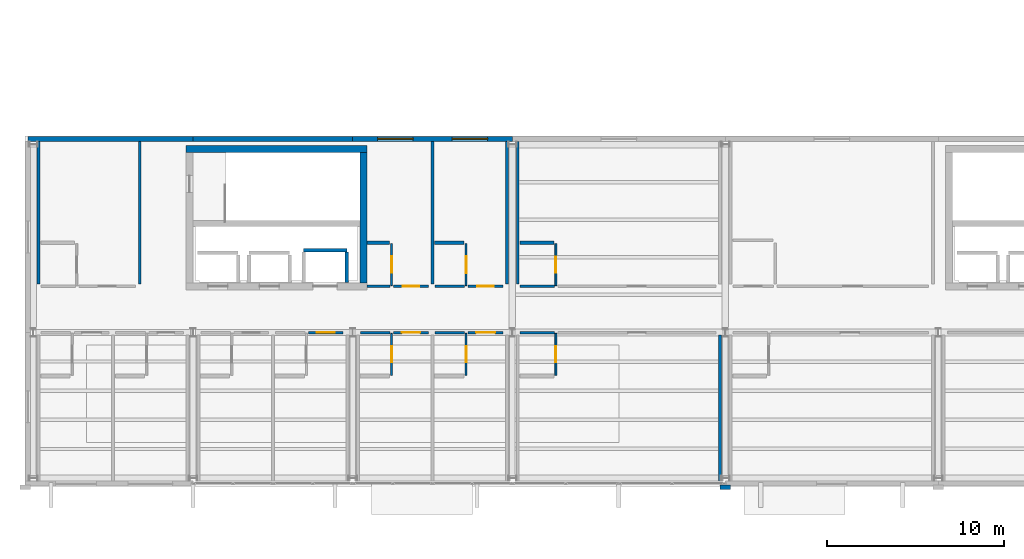
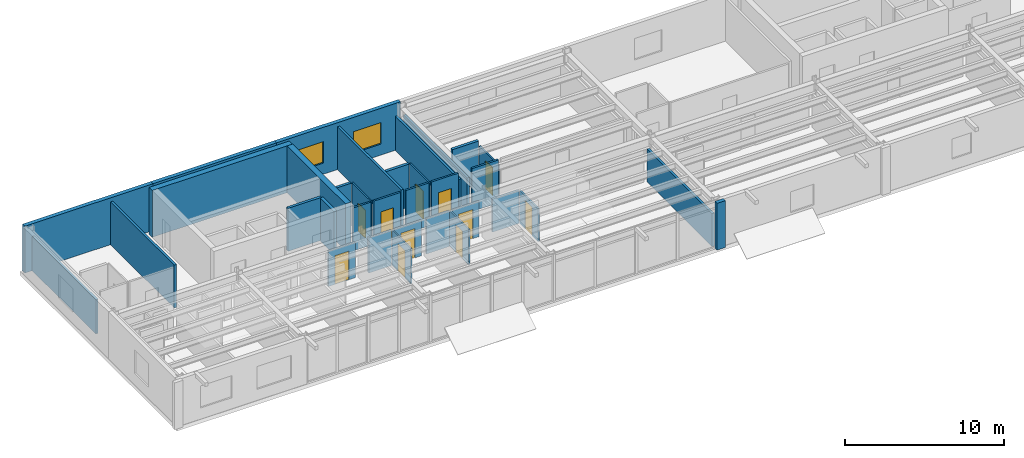
# One storey, part 13 of 19: 34 walls, 11 doors, 2 windows, 13 openings.
"""IFC4 building model written with IfcOpenShell, lengths in metres."""

from ifc_helpers import new_model, si_unit, direction, frame, frame_2d, origin, place, context, subcontext, project, spatial, rectangle, extrude, material, layer, layer_set, type_object, element, fill, save


model = new_model("IFC4")

# Units and contexts
model_context = context("Model", 3, precision=1e-05, world=origin(), true_north=direction((0.0, 1.0)))
body_context = subcontext(model_context, "Body", "Model", "MODEL_VIEW")
ifc_project = project(units=[si_unit("LENGTHUNIT", "METRE"), si_unit("AREAUNIT", "SQUARE_METRE"), si_unit("VOLUMEUNIT", "CUBIC_METRE"), si_unit("PLANEANGLEUNIT", "RADIAN"), si_unit("MASSUNIT", "GRAM", prefix="KILO")], contexts=[model_context])

# Site, building, storey
site_placement = place(None, origin())
site = spatial("IfcSite", under=ifc_project, at=site_placement, CompositionType="ELEMENT")
building_placement = place(site_placement, origin())
building = spatial("IfcBuilding", under=site, at=building_placement, Name="Sollismere Congress Hotel", CompositionType="ELEMENT")
storey_placement = place(building_placement, frame((0.0, 0.0, 44.60009765625)))
storey = spatial("IfcBuildingStorey", under=building, at=storey_placement, Name="L11", CompositionType="ELEMENT", Elevation=44.60009765625)

# Walls
ifc_material_1 = material(Name="Colorado Buff Sandstone Rainscreen on Insulated Backup", Category="masonry")
ifc_layer_1 = layer(ifc_material_1, 0.284912109375, Name="Colorado Buff Sandstone Rainscreen on Insulated Backup")
ifc_layer_set_1 = layer_set([ifc_layer_1], Name="Colorado Buff Sandstone Rainscreen on Insulated Backup")
wall_type_1 = type_object("IfcWallType", Name="WL-EXT285", PredefinedType="STANDARD", material=ifc_layer_set_1)
wall_1_placement = place(storey_placement, frame((94.0, 19.110107421875, 0.0), z_axis=(0.0, 0.0, 1.0), x_axis=(-1.0, 0.0, 0.0)))
element("IfcWall", 1, at=wall_1_placement, inside=storey, type_object=wall_type_1, Name="Exterior wall EW-L11-1019", PredefinedType="STANDARD", context=body_context, shape_type="SweptSolid", body=[
    extrude(rectangle(XDim=9.31005859375, YDim=0.284912109375, at=frame_2d((4.655029296875, 0.0))), origin(), (0.0, 0.0, 1.0), 3.599853515625),
])
wall_2_placement = place(storey_placement, frame((103.0, 19.110107421875, 0.0), z_axis=(0.0, 0.0, 1.0), x_axis=(-1.0, 0.0, 0.0)))
element("IfcWall", 2, at=wall_2_placement, inside=storey, type_object=wall_type_1, Name="Exterior wall EW-L11-1020", PredefinedType="STANDARD", context=body_context, shape_type="SweptSolid", body=[
    extrude(rectangle(XDim=9.0, YDim=0.284912109375, at=frame_2d((4.5, 0.0))), origin(), (0.0, 0.0, 1.0), 3.599853515625),
])

# Wall, openings, windows
wall_3_placement = place(storey_placement, frame((112.0, 19.110107421875, 0.0), z_axis=(0.0, 0.0, 1.0), x_axis=(-1.0, 0.0, 0.0)))
wall_3 = element("IfcWall", 3, at=wall_3_placement, inside=storey, type_object=wall_type_1, Name="Exterior wall EW-L11-1021", PredefinedType="STANDARD", context=body_context, shape_type="SweptSolid", body=[
    extrude(rectangle(XDim=9.0, YDim=0.284912109375, at=frame_2d((4.5, 0.0))), origin(), (0.0, 0.0, 1.0), 3.599853515625),
])
opening_1_placement = place(wall_3_placement, frame((5.60009765625, 0.0, 0.85009765625)))
opening_1 = element("IfcOpeningElement", 4, at=opening_1_placement, cuts=wall_3, Name="Opening W-L11-724", PredefinedType="OPENING", context=body_context, shape_type="SweptSolid", body=[
    extrude(rectangle(XDim=2.0, YDim=1.64990234375, at=frame_2d((1.0, 0.824951171875))), frame((0.0, 0.15234375, 0.0), z_axis=(0.0, -1.0, 0.0), x_axis=(1.0, 0.0, 0.0)), (0.0, 0.0, 1.0), 0.304931640625),
])
opening_2_placement = place(wall_3_placement, frame((1.39990234375, 0.0, 0.85009765625)))
opening_2 = element("IfcOpeningElement", 5, at=opening_2_placement, cuts=wall_3, Name="Opening W-L11-725", PredefinedType="OPENING", context=body_context, shape_type="SweptSolid", body=[
    extrude(rectangle(XDim=2.0, YDim=1.64990234375, at=frame_2d((1.0, 0.824951171875))), frame((0.0, 0.15234375, 0.0), z_axis=(0.0, -1.0, 0.0), x_axis=(1.0, 0.0, 0.0)), (0.0, 0.0, 1.0), 0.304931640625),
])
ifc_material_2 = material(Name="Thermally Broken Bronze Aluminum & Low-E Glass", Category="aluminium")
window_type = type_object("IfcWindowType", Name="WN-P200x165", PartitioningType="SINGLE_PANEL", PredefinedType="WINDOW", material=ifc_material_2)
window_1_placement = place(opening_1_placement, origin())
window_1 = element("IfcWindow", 6, at=window_1_placement, inside=storey, type_object=window_type, Name="WIN-W-L11-724", OverallHeight=1.64990234375, OverallWidth=2.0, PartitioningType="SINGLE_PANEL", PredefinedType="WINDOW", context=body_context, shape_type="SweptSolid", body=[
    extrude(rectangle(XDim=2.0, YDim=1.64990234375, at=frame_2d((1.0, 0.824951171875))), frame((0.0, 0.030029296875, 0.0), z_axis=(0.0, -1.0, 0.0), x_axis=(1.0, 0.0, 0.0)), (0.0, 0.0, 1.0), 0.06005859375),
])
fill(opening_1, window_1)
window_2_placement = place(opening_2_placement, origin())
window_2 = element("IfcWindow", 7, at=window_2_placement, inside=storey, type_object=window_type, Name="WIN-W-L11-725", OverallHeight=1.64990234375, OverallWidth=2.0, PartitioningType="SINGLE_PANEL", PredefinedType="WINDOW", context=body_context, shape_type="SweptSolid", body=[
    extrude(rectangle(XDim=2.0, YDim=1.64990234375, at=frame_2d((1.0, 0.824951171875))), frame((0.0, 0.030029296875, 0.0), z_axis=(0.0, -1.0, 0.0), x_axis=(1.0, 0.0, 0.0)), (0.0, 0.0, 1.0), 0.06005859375),
])
fill(opening_2, window_2)

# Walls
ifc_material_3 = material(Name="Carved Travertine Pilaster & Frieze Assembly", Category="masonry")
ifc_layer_2 = layer(ifc_material_3, 0.260009765625, Name="Carved Travertine Pilaster & Frieze Assembly")
ifc_layer_set_2 = layer_set([ifc_layer_2], Name="Carved Travertine Pilaster & Frieze Assembly")
wall_type_2 = type_object("IfcWallType", Name="WL-PIL280", PredefinedType="ELEMENTEDWALL", material=ifc_layer_set_2)
wall_4_placement = place(storey_placement, frame((123.699951171875, -0.52001953125, 0.0), z_axis=(0.0, 0.0, 1.0), x_axis=(1.0, 0.0, 0.0)))
element("IfcWall", 8, at=wall_4_placement, inside=storey, type_object=wall_type_2, Name="Exterior wall EW-L11-1000", PredefinedType="ELEMENTEDWALL", context=body_context, shape_type="SweptSolid", body=[
    extrude(rectangle(XDim=0.60009765625, YDim=0.260009765625, at=frame_2d((0.300048828125, 0.0))), origin(), (0.0, 0.0, 1.0), 3.599853515625),
])
ifc_material_4 = material(Name="Moisture-Resistant Shaft Gypsum Assembly")
ifc_layer_3 = layer(ifc_material_4, 0.199951171875, Name="Moisture-Resistant Shaft Gypsum Assembly")
ifc_layer_set_3 = layer_set([ifc_layer_3], Name="Moisture-Resistant Shaft Gypsum Assembly")
wall_type_3 = type_object("IfcWallType", Name="WL-PLM200", PredefinedType="PLUMBINGWALL", material=ifc_layer_set_3)
wall_5_placement = place(storey_placement, frame((100.22998046875, 12.844970703125, 0.0), z_axis=(0.0, 0.0, 1.0), x_axis=(1.0, 0.0, 0.0)))
element("IfcWall", 9, at=wall_5_placement, inside=storey, type_object=wall_type_3, Name="Interior wall IW-L11-0375", PredefinedType="PLUMBINGWALL", context=body_context, shape_type="SweptSolid", body=[
    extrude(rectangle(XDim=2.43994140625, YDim=0.199951171875, at=frame_2d((1.219970703125, 0.0))), origin(), (0.0, 0.0, 1.0), 3.2998046875),
])
wall_6_placement = place(storey_placement, frame((102.669921875, 11.011962890625, 0.0), z_axis=(0.0, 0.0, 1.0), x_axis=(0.0, 1.0, 0.0)))
element("IfcWall", 10, at=wall_6_placement, inside=storey, type_object=wall_type_3, Name="Interior wall IW-L11-0377", PredefinedType="PLUMBINGWALL", context=body_context, shape_type="SweptSolid", body=[
    extrude(rectangle(XDim=1.720947265625, YDim=0.199951171875, at=frame_2d((0.8603515625, 0.0))), origin(), (0.0, 0.0, 1.0), 3.2998046875),
])
wall_7_placement = place(storey_placement, frame((103.81201171875, 13.25, 0.0), z_axis=(0.0, 0.0, 1.0), x_axis=(1.0, 0.0, 0.0)))
element("IfcWall", 11, at=wall_7_placement, inside=storey, type_object=wall_type_3, Name="Interior wall IW-L11-2917", PredefinedType="PLUMBINGWALL", context=body_context, shape_type="SweptSolid", body=[
    extrude(rectangle(XDim=1.258056640625, YDim=0.199951171875, at=frame_2d((0.62890625, 0.0))), origin(), (0.0, 0.0, 1.0), 3.2998046875),
])
wall_8_placement = place(storey_placement, frame((107.6201171875, 13.25, 0.0), z_axis=(0.0, 0.0, 1.0), x_axis=(1.0, 0.0, 0.0)))
element("IfcWall", 12, at=wall_8_placement, inside=storey, type_object=wall_type_3, Name="Interior wall IW-L11-2922", PredefinedType="PLUMBINGWALL", context=body_context, shape_type="SweptSolid", body=[
    extrude(rectangle(XDim=1.64990234375, YDim=0.199951171875, at=frame_2d((0.824951171875, 0.0))), origin(), (0.0, 0.0, 1.0), 3.2998046875),
])
wall_9_placement = place(storey_placement, frame((112.419921875, 13.25, 0.0), z_axis=(0.0, 0.0, 1.0), x_axis=(1.0, 0.0, 0.0)))
element("IfcWall", 13, at=wall_9_placement, inside=storey, type_object=wall_type_3, Name="Interior wall IW-L11-2934", PredefinedType="PLUMBINGWALL", context=body_context, shape_type="SweptSolid", body=[
    extrude(rectangle(XDim=1.91015625, YDim=0.199951171875, at=frame_2d((0.955078125, 0.0))), origin(), (0.0, 0.0, 1.0), 3.2998046875),
])

# Wall, opening, door
ifc_material_5 = material(Name="Moisture-Resistant Gypsum Partition")
ifc_layer_4 = layer(ifc_material_5, 0.10009765625, Name="Moisture-Resistant Gypsum Partition")
ifc_layer_set_4 = layer_set([ifc_layer_4], Name="Moisture-Resistant Gypsum Partition")
wall_type_4 = type_object("IfcWallType", Name="WL-PRT100", PredefinedType="PARTITIONING", material=ifc_layer_set_4)
wall_10_placement = place(storey_placement, frame((105.18994140625, 5.7900390625, 0.0), z_axis=(0.0, 0.0, 1.0), x_axis=(0.0, 1.0, 0.0)))
wall_10 = element("IfcWall", 14, at=wall_10_placement, inside=storey, type_object=wall_type_4, Name="Interior wall IW-L11-2906", PredefinedType="PARTITIONING", context=body_context, shape_type="SweptSolid", body=[
    extrude(rectangle(XDim=2.369873046875, YDim=0.10009765625, at=frame_2d((1.18505859375, 0.0))), origin(), (0.0, 0.0, 1.0), 2.712890625),
])
opening_3_placement = place(wall_10_placement, frame((0.7451171875, 0.0, 0.0)))
opening_3 = element("IfcOpeningElement", 15, at=opening_3_placement, cuts=wall_10, Name="Opening D-L11-1027", PredefinedType="OPENING", context=body_context, shape_type="SweptSolid", body=[
    extrude(rectangle(XDim=0.8798828125, YDim=2.10009765625, at=frame_2d((0.43994140625, 1.050048828125))), frame((0.0, 0.06005859375, 0.0), z_axis=(0.0, -1.0, 0.0), x_axis=(1.0, 0.0, 0.0)), (0.0, 0.0, 1.0), 0.1201171875),
])
ifc_material_6 = material(Name="Moisture-Sealed Timber Bathroom Door", Category="wood")
door_type_1 = type_object("IfcDoorType", Name="DR-BT01", OperationType="NOTDEFINED", PredefinedType="DOOR", material=ifc_material_6)
door_1_placement = place(opening_3_placement, origin())
door_1 = element("IfcDoor", 16, at=door_1_placement, inside=storey, type_object=door_type_1, Name="En-suite bathroom door D-L11-1027", OperationType="SINGLE_SWING_RIGHT", OverallHeight=2.10009765625, OverallWidth=0.8798828125, PredefinedType="DOOR", context=body_context, shape_type="SweptSolid", body=[
    extrude(rectangle(XDim=0.8798828125, YDim=2.10009765625, at=frame_2d((0.43994140625, 1.050048828125))), frame((0.0, 0.02490234375, 0.0), z_axis=(0.0, -1.0, 0.0), x_axis=(1.0, 0.0, 0.0)), (0.0, 0.0, 1.0), 0.050048828125),
])
fill(opening_3, door_1)

wall_11_placement = place(storey_placement, frame((109.389892578125, 5.7900390625, 0.0), z_axis=(0.0, 0.0, 1.0), x_axis=(0.0, 1.0, 0.0)))
wall_11 = element("IfcWall", 17, at=wall_11_placement, inside=storey, type_object=wall_type_4, Name="Interior wall IW-L11-2911", PredefinedType="PARTITIONING", context=body_context, shape_type="SweptSolid", body=[
    extrude(rectangle(XDim=2.369873046875, YDim=0.10009765625, at=frame_2d((1.18505859375, 0.0))), origin(), (0.0, 0.0, 1.0), 2.712890625),
])
opening_4_placement = place(wall_11_placement, frame((0.73291015625, 0.0, 0.0)))
opening_4 = element("IfcOpeningElement", 18, at=opening_4_placement, cuts=wall_11, Name="Opening D-L11-1029", PredefinedType="OPENING", context=body_context, shape_type="SweptSolid", body=[
    extrude(rectangle(XDim=0.905029296875, YDim=2.10009765625, at=frame_2d((0.45263671875, 1.050048828125))), frame((0.0, 0.06005859375, 0.0), z_axis=(0.0, -1.0, 0.0), x_axis=(1.0, 0.0, 0.0)), (0.0, 0.0, 1.0), 0.1201171875),
])
door_type_2 = type_object("IfcDoorType", Name="DR-BT02", OperationType="NOTDEFINED", PredefinedType="DOOR", material=ifc_material_6)
door_2_placement = place(opening_4_placement, origin())
door_2 = element("IfcDoor", 19, at=door_2_placement, inside=storey, type_object=door_type_2, Name="En-suite bathroom door D-L11-1029", OperationType="SINGLE_SWING_RIGHT", OverallHeight=2.10009765625, OverallWidth=0.905029296875, PredefinedType="DOOR", context=body_context, shape_type="SweptSolid", body=[
    extrude(rectangle(XDim=0.905029296875, YDim=2.10009765625, at=frame_2d((0.45263671875, 1.050048828125))), frame((0.0, 0.02490234375, 0.0), z_axis=(0.0, -1.0, 0.0), x_axis=(1.0, 0.0, 0.0)), (0.0, 0.0, 1.0), 0.050048828125),
])
fill(opening_4, door_2)

wall_12_placement = place(storey_placement, frame((105.18994140625, 10.840087890625, 0.0), z_axis=(0.0, 0.0, 1.0), x_axis=(0.0, 1.0, 0.0)))
wall_12 = element("IfcWall", 20, at=wall_12_placement, inside=storey, type_object=wall_type_4, Name="Interior wall IW-L11-2916", PredefinedType="PARTITIONING", context=body_context, shape_type="SweptSolid", body=[
    extrude(rectangle(XDim=2.369873046875, YDim=0.10009765625, at=frame_2d((1.18505859375, 0.0))), origin(), (0.0, 0.0, 1.0), 3.2998046875),
])
opening_5_placement = place(wall_12_placement, frame((0.719970703125, 0.0, 0.0)))
opening_5 = element("IfcOpeningElement", 21, at=opening_5_placement, cuts=wall_12, Name="Opening D-L11-1031", PredefinedType="OPENING", context=body_context, shape_type="SweptSolid", body=[
    extrude(rectangle(XDim=0.929931640625, YDim=2.139892578125, at=frame_2d((0.46484375, 1.06982421875))), frame((0.0, 0.06005859375, 0.0), z_axis=(0.0, -1.0, 0.0), x_axis=(1.0, 0.0, 0.0)), (0.0, 0.0, 1.0), 0.1201171875),
])
door_type_3 = type_object("IfcDoorType", Name="DR-BT03", OperationType="NOTDEFINED", PredefinedType="DOOR", material=ifc_material_6)
door_3_placement = place(opening_5_placement, origin())
door_3 = element("IfcDoor", 22, at=door_3_placement, inside=storey, type_object=door_type_3, Name="En-suite bathroom door D-L11-1031", OperationType="SINGLE_SWING_RIGHT", OverallHeight=2.139892578125, OverallWidth=0.929931640625, PredefinedType="DOOR", context=body_context, shape_type="SweptSolid", body=[
    extrude(rectangle(XDim=0.929931640625, YDim=2.139892578125, at=frame_2d((0.46484375, 1.06982421875))), frame((0.0, 0.02490234375, 0.0), z_axis=(0.0, -1.0, 0.0), x_axis=(1.0, 0.0, 0.0)), (0.0, 0.0, 1.0), 0.050048828125),
])
fill(opening_5, door_3)

wall_13_placement = place(storey_placement, frame((109.389892578125, 10.840087890625, 0.0), z_axis=(0.0, 0.0, 1.0), x_axis=(0.0, 1.0, 0.0)))
wall_13 = element("IfcWall", 23, at=wall_13_placement, inside=storey, type_object=wall_type_4, Name="Interior wall IW-L11-2921", PredefinedType="PARTITIONING", context=body_context, shape_type="SweptSolid", body=[
    extrude(rectangle(XDim=2.369873046875, YDim=0.10009765625, at=frame_2d((1.18505859375, 0.0))), origin(), (0.0, 0.0, 1.0), 3.2998046875),
])
opening_6_placement = place(wall_13_placement, frame((0.7080078125, 0.0, 0.0)))
opening_6 = element("IfcOpeningElement", 24, at=opening_6_placement, cuts=wall_13, Name="Opening D-L11-1033", PredefinedType="OPENING", context=body_context, shape_type="SweptSolid", body=[
    extrude(rectangle(XDim=0.955078125, YDim=2.139892578125, at=frame_2d((0.4775390625, 1.06982421875))), frame((0.0, 0.06005859375, 0.0), z_axis=(0.0, -1.0, 0.0), x_axis=(1.0, 0.0, 0.0)), (0.0, 0.0, 1.0), 0.1201171875),
])
door_type_4 = type_object("IfcDoorType", Name="DR-BT04", OperationType="NOTDEFINED", PredefinedType="DOOR", material=ifc_material_6)
door_4_placement = place(opening_6_placement, origin())
door_4 = element("IfcDoor", 25, at=door_4_placement, inside=storey, type_object=door_type_4, Name="En-suite bathroom door D-L11-1033", OperationType="SINGLE_SWING_RIGHT", OverallHeight=2.139892578125, OverallWidth=0.955078125, PredefinedType="DOOR", context=body_context, shape_type="SweptSolid", body=[
    extrude(rectangle(XDim=0.955078125, YDim=2.139892578125, at=frame_2d((0.4775390625, 1.06982421875))), frame((0.0, 0.02490234375, 0.0), z_axis=(0.0, -1.0, 0.0), x_axis=(1.0, 0.0, 0.0)), (0.0, 0.0, 1.0), 0.050048828125),
])
fill(opening_6, door_4)

wall_14_placement = place(storey_placement, frame((114.449951171875, 5.7900390625, 0.0), z_axis=(0.0, 0.0, 1.0), x_axis=(0.0, 1.0, 0.0)))
wall_14 = element("IfcWall", 26, at=wall_14_placement, inside=storey, type_object=wall_type_4, Name="Interior wall IW-L11-2927", PredefinedType="PARTITIONING", context=body_context, shape_type="SweptSolid", body=[
    extrude(rectangle(XDim=2.369873046875, YDim=0.10009765625, at=frame_2d((1.18505859375, 0.0))), origin(), (0.0, 0.0, 1.0), 2.537841796875),
])
opening_7_placement = place(wall_14_placement, frame((0.7451171875, 0.0, 0.0)))
opening_7 = element("IfcOpeningElement", 27, at=opening_7_placement, cuts=wall_14, Name="Opening D-L11-1035", PredefinedType="OPENING", context=body_context, shape_type="SweptSolid", body=[
    extrude(rectangle(XDim=0.8798828125, YDim=2.179931640625, at=frame_2d((0.43994140625, 1.08984375))), frame((0.0, 0.06005859375, 0.0), z_axis=(0.0, -1.0, 0.0), x_axis=(1.0, 0.0, 0.0)), (0.0, 0.0, 1.0), 0.1201171875),
])
door_type_5 = type_object("IfcDoorType", Name="DR-BT05", OperationType="NOTDEFINED", PredefinedType="DOOR", material=ifc_material_6)
door_5_placement = place(opening_7_placement, origin())
door_5 = element("IfcDoor", 28, at=door_5_placement, inside=storey, type_object=door_type_5, Name="En-suite bathroom door D-L11-1035", OperationType="SINGLE_SWING_RIGHT", OverallHeight=2.179931640625, OverallWidth=0.8798828125, PredefinedType="DOOR", context=body_context, shape_type="SweptSolid", body=[
    extrude(rectangle(XDim=0.8798828125, YDim=2.179931640625, at=frame_2d((0.43994140625, 1.08984375))), frame((0.0, 0.02490234375, 0.0), z_axis=(0.0, -1.0, 0.0), x_axis=(1.0, 0.0, 0.0)), (0.0, 0.0, 1.0), 0.050048828125),
])
fill(opening_7, door_5)

wall_15_placement = place(storey_placement, frame((114.449951171875, 10.840087890625, 0.0), z_axis=(0.0, 0.0, 1.0), x_axis=(0.0, 1.0, 0.0)))
wall_15 = element("IfcWall", 29, at=wall_15_placement, inside=storey, type_object=wall_type_4, Name="Interior wall IW-L11-2933", PredefinedType="PARTITIONING", context=body_context, shape_type="SweptSolid", body=[
    extrude(rectangle(XDim=2.369873046875, YDim=0.10009765625, at=frame_2d((1.18505859375, 0.0))), origin(), (0.0, 0.0, 1.0), 2.85791015625),
])
opening_8_placement = place(wall_15_placement, frame((0.73291015625, 0.0, 0.0)))
opening_8 = element("IfcOpeningElement", 30, at=opening_8_placement, cuts=wall_15, Name="Opening D-L11-1037", PredefinedType="OPENING", context=body_context, shape_type="SweptSolid", body=[
    extrude(rectangle(XDim=0.905029296875, YDim=2.179931640625, at=frame_2d((0.45263671875, 1.08984375))), frame((0.0, 0.06005859375, 0.0), z_axis=(0.0, -1.0, 0.0), x_axis=(1.0, 0.0, 0.0)), (0.0, 0.0, 1.0), 0.1201171875),
])
door_type_6 = type_object("IfcDoorType", Name="DR-BT06", OperationType="NOTDEFINED", PredefinedType="DOOR", material=ifc_material_6)
door_6_placement = place(opening_8_placement, origin())
door_6 = element("IfcDoor", 31, at=door_6_placement, inside=storey, type_object=door_type_6, Name="En-suite bathroom door D-L11-1037", OperationType="SINGLE_SWING_RIGHT", OverallHeight=2.179931640625, OverallWidth=0.905029296875, PredefinedType="DOOR", context=body_context, shape_type="SweptSolid", body=[
    extrude(rectangle(XDim=0.905029296875, YDim=2.179931640625, at=frame_2d((0.45263671875, 1.08984375))), frame((0.0, 0.02490234375, 0.0), z_axis=(0.0, -1.0, 0.0), x_axis=(1.0, 0.0, 0.0)), (0.0, 0.0, 1.0), 0.050048828125),
])
fill(opening_8, door_6)

ifc_material_7 = material(Name="Fire-Rated Gypsum Partition")
ifc_layer_5 = layer(ifc_material_7, 0.139892578125, Name="Fire-Rated Gypsum Partition")
ifc_layer_set_5 = layer_set([ifc_layer_5], Name="Fire-Rated Gypsum Partition")
wall_type_5 = type_object("IfcWallType", Name="WL-PRT140R", PredefinedType="PARTITIONING", material=ifc_layer_set_5)
wall_16_placement = place(storey_placement, frame((100.510009765625, 8.199951171875, 0.0), z_axis=(0.0, 0.0, 1.0), x_axis=(1.0, 0.0, 0.0)))
wall_16 = element("IfcWall", 32, at=wall_16_placement, inside=storey, type_object=wall_type_5, Name="Interior wall IW-L11-2898", PredefinedType="PARTITIONING", context=body_context, shape_type="SweptSolid", body=[
    extrude(rectangle(XDim=1.949951171875, YDim=0.139892578125, at=frame_2d((0.97509765625, 0.0))), origin(), (0.0, 0.0, 1.0), 2.712890625),
])
opening_9_placement = place(wall_16_placement, frame((0.469970703125, 0.0, 0.0)))
opening_9 = element("IfcOpeningElement", 33, at=opening_9_placement, cuts=wall_16, Name="Opening D-L11-1024", PredefinedType="OPENING", context=body_context, shape_type="SweptSolid", body=[
    extrude(rectangle(XDim=1.010009765625, YDim=2.199951171875, at=frame_2d((0.5048828125, 1.10009765625))), frame((0.0, 0.079833984375, 0.0), z_axis=(0.0, -1.0, 0.0), x_axis=(1.0, 0.0, 0.0)), (0.0, 0.0, 1.0), 0.159912109375),
])
ifc_material_8 = material(Name="Solid-Core Acoustic Walnut Guestroom Entry Door")
door_type_7 = type_object("IfcDoorType", Name="DR-KY04", OperationType="NOTDEFINED", PredefinedType="DOOR", material=ifc_material_8)
door_7_placement = place(opening_9_placement, origin())
door_7 = element("IfcDoor", 34, at=door_7_placement, inside=storey, type_object=door_type_7, Name="Hotel room entry door D-L11-1024", OperationType="SINGLE_SWING_LEFT", OverallHeight=2.199951171875, OverallWidth=1.010009765625, PredefinedType="DOOR", context=body_context, shape_type="SweptSolid", body=[
    extrude(rectangle(XDim=1.010009765625, YDim=2.199951171875, at=frame_2d((0.5048828125, 1.10009765625))), frame((0.0, 0.02490234375, 0.0), z_axis=(0.0, -1.0, 0.0), x_axis=(1.0, 0.0, 0.0)), (0.0, 0.0, 1.0), 0.050048828125),
])
fill(opening_9, door_7)

# Wall
wall_17_placement = place(storey_placement, frame((103.43994140625, 8.199951171875, 0.0), z_axis=(0.0, 0.0, 1.0), x_axis=(1.0, 0.0, 0.0)))
element("IfcWall", 35, at=wall_17_placement, inside=storey, type_object=wall_type_5, Name="Interior wall IW-L11-2902", PredefinedType="PARTITIONING", context=body_context, shape_type="SweptSolid", body=[
    extrude(rectangle(XDim=1.670166015625, YDim=0.139892578125, at=frame_2d((0.8349609375, 0.0))), origin(), (0.0, 0.0, 1.0), 2.712890625),
])

# Wall, opening, door
wall_18_placement = place(storey_placement, frame((105.31005859375, 8.199951171875, 0.0), z_axis=(0.0, 0.0, 1.0), x_axis=(1.0, 0.0, 0.0)))
wall_18 = element("IfcWall", 36, at=wall_18_placement, inside=storey, type_object=wall_type_5, Name="Interior wall IW-L11-2903", PredefinedType="PARTITIONING", context=body_context, shape_type="SweptSolid", body=[
    extrude(rectangle(XDim=1.949951171875, YDim=0.139892578125, at=frame_2d((0.97509765625, 0.0))), origin(), (0.0, 0.0, 1.0), 2.712890625),
])
opening_10_placement = place(wall_18_placement, frame((0.455078125, 0.0, 0.0)))
opening_10 = element("IfcOpeningElement", 37, at=opening_10_placement, cuts=wall_18, Name="Opening D-L11-1026", PredefinedType="OPENING", context=body_context, shape_type="SweptSolid", body=[
    extrude(rectangle(XDim=1.0400390625, YDim=2.25, at=frame_2d((0.52001953125, 1.125))), frame((0.0, 0.079833984375, 0.0), z_axis=(0.0, -1.0, 0.0), x_axis=(1.0, 0.0, 0.0)), (0.0, 0.0, 1.0), 0.159912109375),
])
door_type_8 = type_object("IfcDoorType", Name="DR-KY05", OperationType="NOTDEFINED", PredefinedType="DOOR", material=ifc_material_8)
door_8_placement = place(opening_10_placement, origin())
door_8 = element("IfcDoor", 38, at=door_8_placement, inside=storey, type_object=door_type_8, Name="Hotel room entry door D-L11-1026", OperationType="SINGLE_SWING_LEFT", OverallHeight=2.25, OverallWidth=1.0400390625, PredefinedType="DOOR", context=body_context, shape_type="SweptSolid", body=[
    extrude(rectangle(XDim=1.0400390625, YDim=2.25, at=frame_2d((0.52001953125, 1.125))), frame((0.0, 0.02490234375, 0.0), z_axis=(0.0, -1.0, 0.0), x_axis=(1.0, 0.0, 0.0)), (0.0, 0.0, 1.0), 0.050048828125),
])
fill(opening_10, door_8)

# Wall
wall_19_placement = place(storey_placement, frame((107.639892578125, 8.199951171875, 0.0), z_axis=(0.0, 0.0, 1.0), x_axis=(1.0, 0.0, 0.0)))
element("IfcWall", 39, at=wall_19_placement, inside=storey, type_object=wall_type_5, Name="Interior wall IW-L11-2908", PredefinedType="PARTITIONING", context=body_context, shape_type="SweptSolid", body=[
    extrude(rectangle(XDim=1.670166015625, YDim=0.139892578125, at=frame_2d((0.8349609375, 0.0))), origin(), (0.0, 0.0, 1.0), 2.712890625),
])

# Wall, opening, door
wall_20_placement = place(storey_placement, frame((109.510009765625, 8.199951171875, 0.0), z_axis=(0.0, 0.0, 1.0), x_axis=(1.0, 0.0, 0.0)))
wall_20 = element("IfcWall", 40, at=wall_20_placement, inside=storey, type_object=wall_type_5, Name="Interior wall IW-L11-2909", PredefinedType="PARTITIONING", context=body_context, shape_type="SweptSolid", body=[
    extrude(rectangle(XDim=1.949951171875, YDim=0.139892578125, at=frame_2d((0.97509765625, 0.0))), origin(), (0.0, 0.0, 1.0), 2.712890625),
])
opening_11_placement = place(wall_20_placement, frame((0.43994140625, 0.0, 0.0)))
opening_11 = element("IfcOpeningElement", 41, at=opening_11_placement, cuts=wall_20, Name="Opening D-L11-1028", PredefinedType="OPENING", context=body_context, shape_type="SweptSolid", body=[
    extrude(rectangle(XDim=1.070068359375, YDim=2.25, at=frame_2d((0.53515625, 1.125))), frame((0.0, 0.079833984375, 0.0), z_axis=(0.0, -1.0, 0.0), x_axis=(1.0, 0.0, 0.0)), (0.0, 0.0, 1.0), 0.159912109375),
])
door_type_9 = type_object("IfcDoorType", Name="DR-KY06", OperationType="NOTDEFINED", PredefinedType="DOOR", material=ifc_material_8)
door_9_placement = place(opening_11_placement, origin())
door_9 = element("IfcDoor", 42, at=door_9_placement, inside=storey, type_object=door_type_9, Name="Hotel room entry door D-L11-1028", OperationType="SINGLE_SWING_LEFT", OverallHeight=2.25, OverallWidth=1.070068359375, PredefinedType="DOOR", context=body_context, shape_type="SweptSolid", body=[
    extrude(rectangle(XDim=1.070068359375, YDim=2.25, at=frame_2d((0.53515625, 1.125))), frame((0.0, 0.02490234375, 0.0), z_axis=(0.0, -1.0, 0.0), x_axis=(1.0, 0.0, 0.0)), (0.0, 0.0, 1.0), 0.050048828125),
])
fill(opening_11, door_9)

# Wall
wall_21_placement = place(storey_placement, frame((103.800048828125, 10.800048828125, 0.0), z_axis=(0.0, 0.0, 1.0), x_axis=(1.0, 0.0, 0.0)))
element("IfcWall", 43, at=wall_21_placement, inside=storey, type_object=wall_type_5, Name="Interior wall IW-L11-2913", PredefinedType="PARTITIONING", context=body_context, shape_type="SweptSolid", body=[
    extrude(rectangle(XDim=1.31005859375, YDim=0.139892578125, at=frame_2d((0.655029296875, 0.0))), origin(), (0.0, 0.0, 1.0), 3.2998046875),
])

# Wall, opening, door
wall_22_placement = place(storey_placement, frame((105.31005859375, 10.800048828125, 0.0), z_axis=(0.0, 0.0, 1.0), x_axis=(1.0, 0.0, 0.0)))
wall_22 = element("IfcWall", 44, at=wall_22_placement, inside=storey, type_object=wall_type_5, Name="Interior wall IW-L11-2914", PredefinedType="PARTITIONING", context=body_context, shape_type="SweptSolid", body=[
    extrude(rectangle(XDim=1.949951171875, YDim=0.139892578125, at=frame_2d((0.97509765625, 0.0))), origin(), (0.0, 0.0, 1.0), 3.2998046875),
])
opening_12_placement = place(wall_22_placement, frame((0.514892578125, 0.0, 0.0)))
opening_12 = element("IfcOpeningElement", 45, at=opening_12_placement, cuts=wall_22, Name="Opening D-L11-1030", PredefinedType="OPENING", context=body_context, shape_type="SweptSolid", body=[
    extrude(rectangle(XDim=0.919921875, YDim=2.300048828125, at=frame_2d((0.4599609375, 1.14990234375))), frame((0.0, 0.079833984375, 0.0), z_axis=(0.0, -1.0, 0.0), x_axis=(1.0, 0.0, 0.0)), (0.0, 0.0, 1.0), 0.159912109375),
])
door_type_10 = type_object("IfcDoorType", Name="DR-KY07", OperationType="NOTDEFINED", PredefinedType="DOOR", material=ifc_material_8)
door_10_placement = place(opening_12_placement, origin())
door_10 = element("IfcDoor", 46, at=door_10_placement, inside=storey, type_object=door_type_10, Name="Hotel room entry door D-L11-1030", OperationType="SINGLE_SWING_LEFT", OverallHeight=2.300048828125, OverallWidth=0.919921875, PredefinedType="DOOR", context=body_context, shape_type="SweptSolid", body=[
    extrude(rectangle(XDim=0.919921875, YDim=2.300048828125, at=frame_2d((0.4599609375, 1.14990234375))), frame((0.0, 0.02490234375, 0.0), z_axis=(0.0, -1.0, 0.0), x_axis=(1.0, 0.0, 0.0)), (0.0, 0.0, 1.0), 0.050048828125),
])
fill(opening_12, door_10)

# Wall
wall_23_placement = place(storey_placement, frame((107.639892578125, 10.800048828125, 0.0), z_axis=(0.0, 0.0, 1.0), x_axis=(1.0, 0.0, 0.0)))
element("IfcWall", 47, at=wall_23_placement, inside=storey, type_object=wall_type_5, Name="Interior wall IW-L11-2918", PredefinedType="PARTITIONING", context=body_context, shape_type="SweptSolid", body=[
    extrude(rectangle(XDim=1.670166015625, YDim=0.139892578125, at=frame_2d((0.8349609375, 0.0))), origin(), (0.0, 0.0, 1.0), 3.2998046875),
])

# Wall, opening, door
wall_24_placement = place(storey_placement, frame((109.510009765625, 10.800048828125, 0.0), z_axis=(0.0, 0.0, 1.0), x_axis=(1.0, 0.0, 0.0)))
wall_24 = element("IfcWall", 48, at=wall_24_placement, inside=storey, type_object=wall_type_5, Name="Interior wall IW-L11-2919", PredefinedType="PARTITIONING", context=body_context, shape_type="SweptSolid", body=[
    extrude(rectangle(XDim=1.949951171875, YDim=0.139892578125, at=frame_2d((0.97509765625, 0.0))), origin(), (0.0, 0.0, 1.0), 3.2998046875),
])
opening_13_placement = place(wall_24_placement, frame((0.5, 0.0, 0.0)))
opening_13 = element("IfcOpeningElement", 49, at=opening_13_placement, cuts=wall_24, Name="Opening D-L11-1032", PredefinedType="OPENING", context=body_context, shape_type="SweptSolid", body=[
    extrude(rectangle(XDim=0.949951171875, YDim=2.300048828125, at=frame_2d((0.47509765625, 1.14990234375))), frame((0.0, 0.079833984375, 0.0), z_axis=(0.0, -1.0, 0.0), x_axis=(1.0, 0.0, 0.0)), (0.0, 0.0, 1.0), 0.159912109375),
])
door_type_11 = type_object("IfcDoorType", Name="DR-KY08", OperationType="NOTDEFINED", PredefinedType="DOOR", material=ifc_material_8)
door_11_placement = place(opening_13_placement, origin())
door_11 = element("IfcDoor", 50, at=door_11_placement, inside=storey, type_object=door_type_11, Name="Hotel room entry door D-L11-1032", OperationType="SINGLE_SWING_LEFT", OverallHeight=2.300048828125, OverallWidth=0.949951171875, PredefinedType="DOOR", context=body_context, shape_type="SweptSolid", body=[
    extrude(rectangle(XDim=0.949951171875, YDim=2.300048828125, at=frame_2d((0.47509765625, 1.14990234375))), frame((0.0, 0.02490234375, 0.0), z_axis=(0.0, -1.0, 0.0), x_axis=(1.0, 0.0, 0.0)), (0.0, 0.0, 1.0), 0.050048828125),
])
fill(opening_13, door_11)

# Walls
wall_25_placement = place(storey_placement, frame((112.43994140625, 8.199951171875, 0.0), z_axis=(0.0, 0.0, 1.0), x_axis=(1.0, 0.0, 0.0)))
element("IfcWall", 51, at=wall_25_placement, inside=storey, type_object=wall_type_5, Name="Interior wall IW-L11-2923", PredefinedType="PARTITIONING", context=body_context, shape_type="SweptSolid", body=[
    extrude(rectangle(XDim=1.93017578125, YDim=0.139892578125, at=frame_2d((0.965087890625, 0.0))), origin(), (0.0, 0.0, 1.0), 2.537841796875),
])
wall_26_placement = place(storey_placement, frame((112.43994140625, 10.800048828125, 0.0), z_axis=(0.0, 0.0, 1.0), x_axis=(1.0, 0.0, 0.0)))
element("IfcWall", 52, at=wall_26_placement, inside=storey, type_object=wall_type_5, Name="Interior wall IW-L11-2929", PredefinedType="PARTITIONING", context=body_context, shape_type="SweptSolid", body=[
    extrude(rectangle(XDim=1.93017578125, YDim=0.139892578125, at=frame_2d((0.965087890625, 0.0))), origin(), (0.0, 0.0, 1.0), 3.2998046875),
])
ifc_material_9 = material(Name="Fire-Rated Acoustic Gypsum Partition")
ifc_layer_6 = layer(ifc_material_9, 0.1650390625, Name="Fire-Rated Acoustic Gypsum Partition")
ifc_layer_set_6 = layer_set([ifc_layer_6], Name="Fire-Rated Acoustic Gypsum Partition")
wall_type_6 = type_object("IfcWallType", Name="WL-PRT165R", PredefinedType="PARTITIONING", material=ifc_layer_set_6)
wall_27_placement = place(storey_placement, frame((85.300048828125, 10.93994140625, 0.0), z_axis=(0.0, 0.0, 1.0), x_axis=(0.0, 1.0, 0.0)))
element("IfcWall", 53, at=wall_27_placement, inside=storey, type_object=wall_type_6, Name="Interior wall IW-L11-2887", PredefinedType="PARTITIONING", context=body_context, shape_type="SweptSolid", body=[
    extrude(rectangle(XDim=8.012451171875, YDim=0.1650390625, at=frame_2d((4.00634765625, 0.0))), origin(), (0.0, 0.0, 1.0), 2.62890625),
])
for number, where, z_axis, x_axis, name in (
    (54, (91.0, 10.93994140625, 0.0), (0.0, 0.0, 1.0), (0.0, 1.0, 0.0), "Interior wall IW-L11-2888"),
    (55, (107.5, 10.93994140625, 0.0), (0.0, 0.0, 1.0), (0.0, 1.0, 0.0), "Interior wall IW-L11-2915"),
):
    element("IfcWall", number, at=place(storey_placement, frame(where, z_axis=z_axis, x_axis=x_axis)), inside=storey, type_object=wall_type_6, Name=name, PredefinedType="PARTITIONING", context=body_context, shape_type="SweptSolid", body=[
        extrude(rectangle(XDim=8.012451171875, YDim=0.1650390625, at=frame_2d((4.00634765625, 0.0))), origin(), (0.0, 0.0, 1.0), 3.2998046875),
    ])
wall_28_placement = place(storey_placement, frame((111.699951171875, 10.93994140625, 0.0), z_axis=(0.0, 0.0, 1.0), x_axis=(0.0, 1.0, 0.0)))
element("IfcWall", 56, at=wall_28_placement, inside=storey, type_object=wall_type_6, Name="Interior wall IW-L11-2920", PredefinedType="PARTITIONING", context=body_context, shape_type="SweptSolid", body=[
    extrude(rectangle(XDim=8.012451171875, YDim=0.1650390625, at=frame_2d((4.00634765625, 0.0))), origin(), (0.0, 0.0, 1.0), 2.62890625),
])
wall_29_placement = place(storey_placement, frame((123.699951171875, -0.159912109375, 0.0), z_axis=(0.0, 0.0, 1.0), x_axis=(0.0, 1.0, 0.0)))
element("IfcWall", 57, at=wall_29_placement, inside=storey, type_object=wall_type_6, Name="Interior wall IW-L11-2926", PredefinedType="PARTITIONING", context=body_context, shape_type="SweptSolid", body=[
    extrude(rectangle(XDim=8.219970703125, YDim=0.1650390625, at=frame_2d((4.10986328125, 0.0))), origin(), (0.0, 0.0, 1.0), 2.537841796875),
])
wall_30_placement = place(storey_placement, frame((112.300048828125, 10.93994140625, 0.0), z_axis=(0.0, 0.0, 1.0), x_axis=(0.0, 1.0, 0.0)))
element("IfcWall", 58, at=wall_30_placement, inside=storey, type_object=wall_type_6, Name="Interior wall IW-L11-2931", PredefinedType="PARTITIONING", context=body_context, shape_type="SweptSolid", body=[
    extrude(rectangle(XDim=8.012451171875, YDim=0.1650390625, at=frame_2d((4.00634765625, 0.0))), origin(), (0.0, 0.0, 1.0), 2.537841796875),
])
ifc_material_10 = material(Name="Concrete C50/60", Category="concrete")
ifc_layer_7 = layer(ifc_material_10, 0.39990234375, Name="Concrete C50/60")
ifc_layer_set_7 = layer_set([ifc_layer_7], Name="Concrete C50/60")
wall_type_7 = type_object("IfcWallType", Name="WL-SHR400", PredefinedType="SHEAR", material=ifc_layer_set_7)
wall_31_placement = place(storey_placement, frame((103.800048828125, 18.550048828125, 0.0), z_axis=(0.0, 0.0, 1.0), x_axis=(-1.0, 0.0, 0.0)))
element("IfcWall", 59, at=wall_31_placement, inside=storey, type_object=wall_type_7, Name="Interior wall IW-L11-0366", PredefinedType="SHEAR", context=body_context, shape_type="SweptSolid", body=[
    extrude(rectangle(XDim=10.199951171875, YDim=0.39990234375, at=frame_2d((5.10009765625, 0.0))), origin(), (0.0, 0.0, 1.0), 3.599853515625),
])
wall_32_placement = place(storey_placement, frame((103.60009765625, 11.0, 0.0), z_axis=(0.0, 0.0, 1.0), x_axis=(0.0, 1.0, 0.0)))
element("IfcWall", 60, at=wall_32_placement, inside=storey, type_object=wall_type_7, Name="Interior wall IW-L11-0368", PredefinedType="SHEAR", context=body_context, shape_type="SweptSolid", body=[
    extrude(rectangle(XDim=7.35009765625, YDim=0.39990234375, at=frame_2d((3.675048828125, 0.0))), origin(), (0.0, 0.0, 1.0), 3.599853515625),
])

save(model, "model.ifc")
